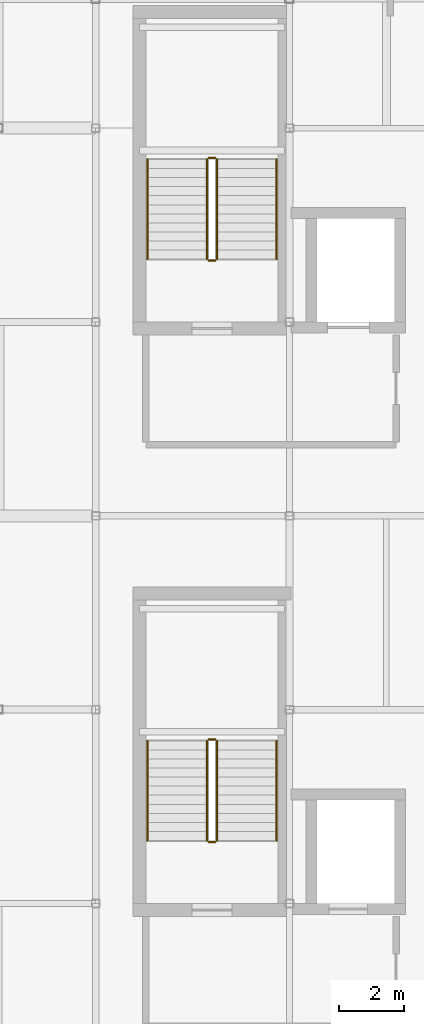
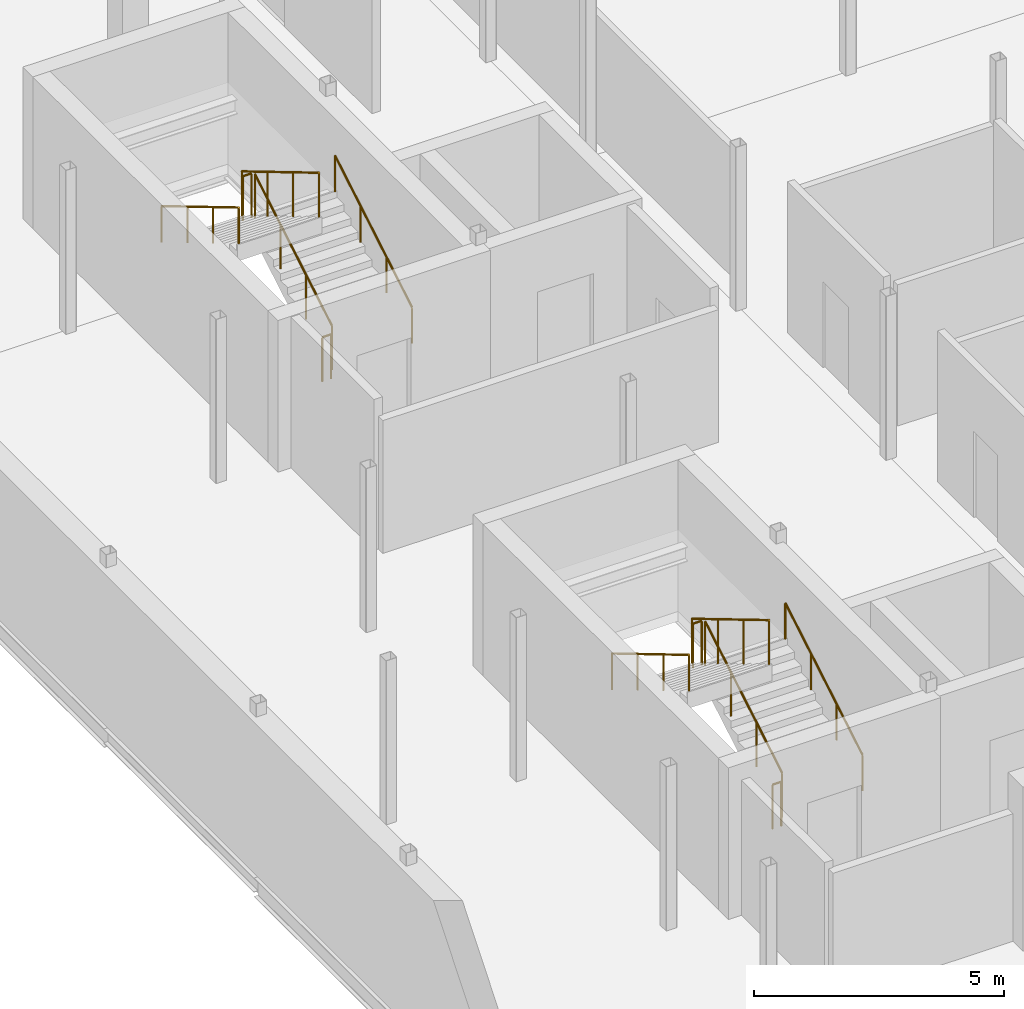
# One storey, part 33 of 35: 12 railings.
"""IFC4 building model written with IfcOpenShell, lengths in metres."""

from ifc_helpers import new_model, si_unit, direction, frame, origin, origin_2d, place, context, subcontext, project, spatial, circle, extrude, material, type_object, element, save


model = new_model("IFC4")

# Units and contexts
model_context = context("Model", 3, precision=1e-05, world=origin(), true_north=direction((0.0, 1.0)))
body_context = subcontext(model_context, "Body", "Model", "MODEL_VIEW")
ifc_project = project(units=[si_unit("LENGTHUNIT", "METRE"), si_unit("AREAUNIT", "SQUARE_METRE"), si_unit("VOLUMEUNIT", "CUBIC_METRE"), si_unit("PLANEANGLEUNIT", "RADIAN"), si_unit("MASSUNIT", "GRAM", prefix="KILO")], contexts=[model_context])

# Site, building, storey
site_placement = place(None, origin())
site = spatial("IfcSite", under=ifc_project, at=site_placement, CompositionType="ELEMENT")
building_placement = place(site_placement, origin())
building = spatial("IfcBuilding", under=site, at=building_placement, Name="Verrall Gate Interchange", CompositionType="ELEMENT")
storey_placement = place(building_placement, frame((0.0, 0.0, 15.39990234375)))
storey = spatial("IfcBuildingStorey", under=building, at=storey_placement, Name="L04", CompositionType="ELEMENT", Elevation=15.39990234375)

# Railings
ifc_material_1 = material(Name="Brushed Stainless-Steel Guardrail and Handrail System", Category="steel")
railing_type_1 = type_object("IfcRailingType", Name="GR-02 Interior Atrium and Stair Guardrail 1100", PredefinedType="GUARDRAIL", material=ifc_material_1)
railing_1_placement = place(storey_placement, frame((9.75, 17.949951171875, 0.166748046875)))
element("IfcRailing", 1, at=railing_1_placement, inside=storey, type_object=railing_type_1, Name="L04 ST-01 stair guard 1", PredefinedType="GUARDRAIL", context=body_context, shape_type="SweptSolid", body=[
    extrude(circle(Radius=0.02392578125, at=origin_2d()), frame((0.0, 0.0, 1.076171875), z_axis=(0.0, 0.859308565015, 0.511457515432), x_axis=(-1.0, 0.0, 0.0)), (0.0, 0.0, 1.0), 3.58447265625),
    extrude(circle(Radius=0.02099609375, at=origin_2d()), origin(), (0.0, 0.0, 1.0), 1.052001953125),
    extrude(circle(Radius=0.02099609375, at=origin_2d()), frame((0.0, 1.026611328125, 0.611083984375)), (0.0, 0.0, 1.0), 1.052001953125),
    extrude(circle(Radius=0.02099609375, at=origin_2d()), frame((0.0, 2.053466796875, 1.22216796875)), (0.0, 0.0, 1.0), 1.052001953125),
    extrude(circle(Radius=0.02099609375, at=origin_2d()), frame((0.0, 3.080078125, 1.833251953125)), (0.0, 0.0, 1.0), 1.052001953125),
])
railing_2_placement = place(storey_placement, frame((9.699951171875, 21.080078125, 2.0)))
element("IfcRailing", 2, at=railing_2_placement, inside=storey, type_object=railing_type_1, Name="L04 ST-01 stair guard 2", PredefinedType="GUARDRAIL", context=body_context, shape_type="SweptSolid", body=[
    extrude(circle(Radius=0.02392578125, at=origin_2d()), frame((0.0, 0.0, 1.076171875), z_axis=(-1.0, 0.0, 0.0), x_axis=(0.0, -1.0, 0.0)), (0.0, 0.0, 1.0), 0.199951171875),
    extrude(circle(Radius=0.02099609375, at=origin_2d()), origin(), (0.0, 0.0, 1.0), 1.052001953125),
    extrude(circle(Radius=0.02099609375, at=origin_2d()), frame((-0.199951171875, 0.0, 0.0)), (0.0, 0.0, 1.0), 1.052001953125),
])
railing_3_placement = place(storey_placement, frame((9.449951171875, 21.030029296875, 2.166748046875)))
element("IfcRailing", 3, at=railing_3_placement, inside=storey, type_object=railing_type_1, Name="L04 ST-01 stair guard 3", PredefinedType="GUARDRAIL", context=body_context, shape_type="SweptSolid", body=[
    extrude(circle(Radius=0.02392578125, at=origin_2d()), frame((0.0, 0.0, 1.076171875), z_axis=(0.0, -0.859308565015, 0.511457515432), x_axis=(1.0, 0.0, 0.0)), (0.0, 0.0, 1.0), 3.58447265625),
    extrude(circle(Radius=0.02099609375, at=origin_2d()), origin(), (0.0, 0.0, 1.0), 1.052001953125),
    extrude(circle(Radius=0.02099609375, at=origin_2d()), frame((0.0, -1.026611328125, 0.611083984375)), (0.0, 0.0, 1.0), 1.052001953125),
    extrude(circle(Radius=0.02099609375, at=origin_2d()), frame((0.0, -2.053466796875, 1.22216796875)), (0.0, 0.0, 1.0), 1.052001953125),
    extrude(circle(Radius=0.02099609375, at=origin_2d()), frame((0.0, -3.080078125, 1.833251953125)), (0.0, 0.0, 1.0), 1.052001953125),
])
railing_4_placement = place(storey_placement, frame((9.699951171875, 17.89990234375, 0.0)))
element("IfcRailing", 4, at=railing_4_placement, inside=storey, type_object=railing_type_1, Name="L04 ST-01 stair guard 4", PredefinedType="GUARDRAIL", context=body_context, shape_type="SweptSolid", body=[
    extrude(circle(Radius=0.02392578125, at=origin_2d()), frame((0.0, 0.0, 1.076171875), z_axis=(-1.0, 0.0, 0.0), x_axis=(0.0, -1.0, 0.0)), (0.0, 0.0, 1.0), 0.199951171875),
    extrude(circle(Radius=0.02099609375, at=origin_2d()), origin(), (0.0, 0.0, 1.0), 1.052001953125),
    extrude(circle(Radius=0.02099609375, at=origin_2d()), frame((-0.199951171875, 0.0, 0.0)), (0.0, 0.0, 1.0), 1.052001953125),
])
railing_5_placement = place(storey_placement, frame((9.75, 35.949951171875, 0.166748046875)))
element("IfcRailing", 5, at=railing_5_placement, inside=storey, type_object=railing_type_1, Name="L04 ST-02 stair guard 1", PredefinedType="GUARDRAIL", context=body_context, shape_type="SweptSolid", body=[
    extrude(circle(Radius=0.02392578125, at=origin_2d()), frame((0.0, 0.0, 1.076171875), z_axis=(0.0, 0.859308565015, 0.511457515432), x_axis=(-1.0, 0.0, 0.0)), (0.0, 0.0, 1.0), 3.58447265625),
    extrude(circle(Radius=0.02099609375, at=origin_2d()), origin(), (0.0, 0.0, 1.0), 1.052001953125),
    extrude(circle(Radius=0.02099609375, at=origin_2d()), frame((0.0, 1.026611328125, 0.611083984375)), (0.0, 0.0, 1.0), 1.052001953125),
    extrude(circle(Radius=0.02099609375, at=origin_2d()), frame((0.0, 2.053466796875, 1.22216796875)), (0.0, 0.0, 1.0), 1.052001953125),
    extrude(circle(Radius=0.02099609375, at=origin_2d()), frame((0.0, 3.080078125, 1.833251953125)), (0.0, 0.0, 1.0), 1.052001953125),
])
railing_6_placement = place(storey_placement, frame((9.699951171875, 39.080078125, 2.0)))
element("IfcRailing", 6, at=railing_6_placement, inside=storey, type_object=railing_type_1, Name="L04 ST-02 stair guard 2", PredefinedType="GUARDRAIL", context=body_context, shape_type="SweptSolid", body=[
    extrude(circle(Radius=0.02392578125, at=origin_2d()), frame((0.0, 0.0, 1.076171875), z_axis=(-1.0, 0.0, 0.0), x_axis=(0.0, -1.0, 0.0)), (0.0, 0.0, 1.0), 0.199951171875),
    extrude(circle(Radius=0.02099609375, at=origin_2d()), origin(), (0.0, 0.0, 1.0), 1.052001953125),
    extrude(circle(Radius=0.02099609375, at=origin_2d()), frame((-0.199951171875, 0.0, 0.0)), (0.0, 0.0, 1.0), 1.052001953125),
])
railing_7_placement = place(storey_placement, frame((9.449951171875, 39.030029296875, 2.166748046875)))
element("IfcRailing", 7, at=railing_7_placement, inside=storey, type_object=railing_type_1, Name="L04 ST-02 stair guard 3", PredefinedType="GUARDRAIL", context=body_context, shape_type="SweptSolid", body=[
    extrude(circle(Radius=0.02392578125, at=origin_2d()), frame((0.0, 0.0, 1.076171875), z_axis=(0.0, -0.859308565015, 0.511457515432), x_axis=(1.0, 0.0, 0.0)), (0.0, 0.0, 1.0), 3.58447265625),
    extrude(circle(Radius=0.02099609375, at=origin_2d()), origin(), (0.0, 0.0, 1.0), 1.052001953125),
    extrude(circle(Radius=0.02099609375, at=origin_2d()), frame((0.0, -1.026611328125, 0.611083984375)), (0.0, 0.0, 1.0), 1.052001953125),
    extrude(circle(Radius=0.02099609375, at=origin_2d()), frame((0.0, -2.053466796875, 1.22216796875)), (0.0, 0.0, 1.0), 1.052001953125),
    extrude(circle(Radius=0.02099609375, at=origin_2d()), frame((0.0, -3.080078125, 1.833251953125)), (0.0, 0.0, 1.0), 1.052001953125),
])
railing_8_placement = place(storey_placement, frame((9.699951171875, 35.89990234375, 0.0)))
element("IfcRailing", 8, at=railing_8_placement, inside=storey, type_object=railing_type_1, Name="L04 ST-02 stair guard 4", PredefinedType="GUARDRAIL", context=body_context, shape_type="SweptSolid", body=[
    extrude(circle(Radius=0.02392578125, at=origin_2d()), frame((0.0, 0.0, 1.076171875), z_axis=(-1.0, 0.0, 0.0), x_axis=(0.0, -1.0, 0.0)), (0.0, 0.0, 1.0), 0.199951171875),
    extrude(circle(Radius=0.02099609375, at=origin_2d()), origin(), (0.0, 0.0, 1.0), 1.052001953125),
    extrude(circle(Radius=0.02099609375, at=origin_2d()), frame((-0.199951171875, 0.0, 0.0)), (0.0, 0.0, 1.0), 1.052001953125),
])
ifc_material_2 = material(Name="Brushed Stainless-Steel Guardrail and Handrail System", Category="steel")
railing_type_2 = type_object("IfcRailingType", Name="HR-01 Stair and Ramp Pitch-Line Handrail 920", PredefinedType="HANDRAIL", material=ifc_material_2)
railing_9_placement = place(storey_placement, frame((11.60009765625, 17.949951171875, 0.166748046875)))
element("IfcRailing", 9, at=railing_9_placement, inside=storey, type_object=railing_type_2, Name="L04 ST-01 stair handrail 1", PredefinedType="HANDRAIL", context=body_context, shape_type="SweptSolid", body=[
    extrude(circle(Radius=0.02392578125, at=origin_2d()), frame((0.0, 0.0, 0.8759765625), z_axis=(0.0, 0.859308565015, 0.511457515432), x_axis=(-1.0, 0.0, 0.0)), (0.0, 0.0, 1.0), 3.58447265625),
    extrude(circle(Radius=0.02099609375, at=origin_2d()), origin(), (0.0, 0.0, 1.0), 0.851806640625),
    extrude(circle(Radius=0.02099609375, at=origin_2d()), frame((0.0, 1.026611328125, 0.611083984375)), (0.0, 0.0, 1.0), 0.851806640625),
    extrude(circle(Radius=0.02099609375, at=origin_2d()), frame((0.0, 2.053466796875, 1.22216796875)), (0.0, 0.0, 1.0), 0.851806640625),
    extrude(circle(Radius=0.02099609375, at=origin_2d()), frame((0.0, 3.080078125, 1.833251953125)), (0.0, 0.0, 1.0), 0.851806640625),
])
railing_10_placement = place(storey_placement, frame((7.60009765625, 21.030029296875, 2.166748046875)))
element("IfcRailing", 10, at=railing_10_placement, inside=storey, type_object=railing_type_2, Name="L04 ST-01 stair handrail 2", PredefinedType="HANDRAIL", context=body_context, shape_type="SweptSolid", body=[
    extrude(circle(Radius=0.02392578125, at=origin_2d()), frame((0.0, 0.0, 0.8759765625), z_axis=(0.0, -0.859308565015, 0.511457515432), x_axis=(1.0, 0.0, 0.0)), (0.0, 0.0, 1.0), 3.58447265625),
    extrude(circle(Radius=0.02099609375, at=origin_2d()), origin(), (0.0, 0.0, 1.0), 0.851806640625),
    extrude(circle(Radius=0.02099609375, at=origin_2d()), frame((0.0, -1.026611328125, 0.611083984375)), (0.0, 0.0, 1.0), 0.851806640625),
    extrude(circle(Radius=0.02099609375, at=origin_2d()), frame((0.0, -2.053466796875, 1.22216796875)), (0.0, 0.0, 1.0), 0.851806640625),
    extrude(circle(Radius=0.02099609375, at=origin_2d()), frame((0.0, -3.080078125, 1.833251953125)), (0.0, 0.0, 1.0), 0.851806640625),
])
railing_11_placement = place(storey_placement, frame((11.60009765625, 35.949951171875, 0.166748046875)))
element("IfcRailing", 11, at=railing_11_placement, inside=storey, type_object=railing_type_2, Name="L04 ST-02 stair handrail 1", PredefinedType="HANDRAIL", context=body_context, shape_type="SweptSolid", body=[
    extrude(circle(Radius=0.02392578125, at=origin_2d()), frame((0.0, 0.0, 0.8759765625), z_axis=(0.0, 0.859308565015, 0.511457515432), x_axis=(-1.0, 0.0, 0.0)), (0.0, 0.0, 1.0), 3.58447265625),
    extrude(circle(Radius=0.02099609375, at=origin_2d()), origin(), (0.0, 0.0, 1.0), 0.851806640625),
    extrude(circle(Radius=0.02099609375, at=origin_2d()), frame((0.0, 1.026611328125, 0.611083984375)), (0.0, 0.0, 1.0), 0.851806640625),
    extrude(circle(Radius=0.02099609375, at=origin_2d()), frame((0.0, 2.053466796875, 1.22216796875)), (0.0, 0.0, 1.0), 0.851806640625),
    extrude(circle(Radius=0.02099609375, at=origin_2d()), frame((0.0, 3.080078125, 1.833251953125)), (0.0, 0.0, 1.0), 0.851806640625),
])
railing_12_placement = place(storey_placement, frame((7.60009765625, 39.030029296875, 2.166748046875)))
element("IfcRailing", 12, at=railing_12_placement, inside=storey, type_object=railing_type_2, Name="L04 ST-02 stair handrail 2", PredefinedType="HANDRAIL", context=body_context, shape_type="SweptSolid", body=[
    extrude(circle(Radius=0.02392578125, at=origin_2d()), frame((0.0, 0.0, 0.8759765625), z_axis=(0.0, -0.859308565015, 0.511457515432), x_axis=(1.0, 0.0, 0.0)), (0.0, 0.0, 1.0), 3.58447265625),
    extrude(circle(Radius=0.02099609375, at=origin_2d()), origin(), (0.0, 0.0, 1.0), 0.851806640625),
    extrude(circle(Radius=0.02099609375, at=origin_2d()), frame((0.0, -1.026611328125, 0.611083984375)), (0.0, 0.0, 1.0), 0.851806640625),
    extrude(circle(Radius=0.02099609375, at=origin_2d()), frame((0.0, -2.053466796875, 1.22216796875)), (0.0, 0.0, 1.0), 0.851806640625),
    extrude(circle(Radius=0.02099609375, at=origin_2d()), frame((0.0, -3.080078125, 1.833251953125)), (0.0, 0.0, 1.0), 0.851806640625),
])

save(model, "model.ifc")
